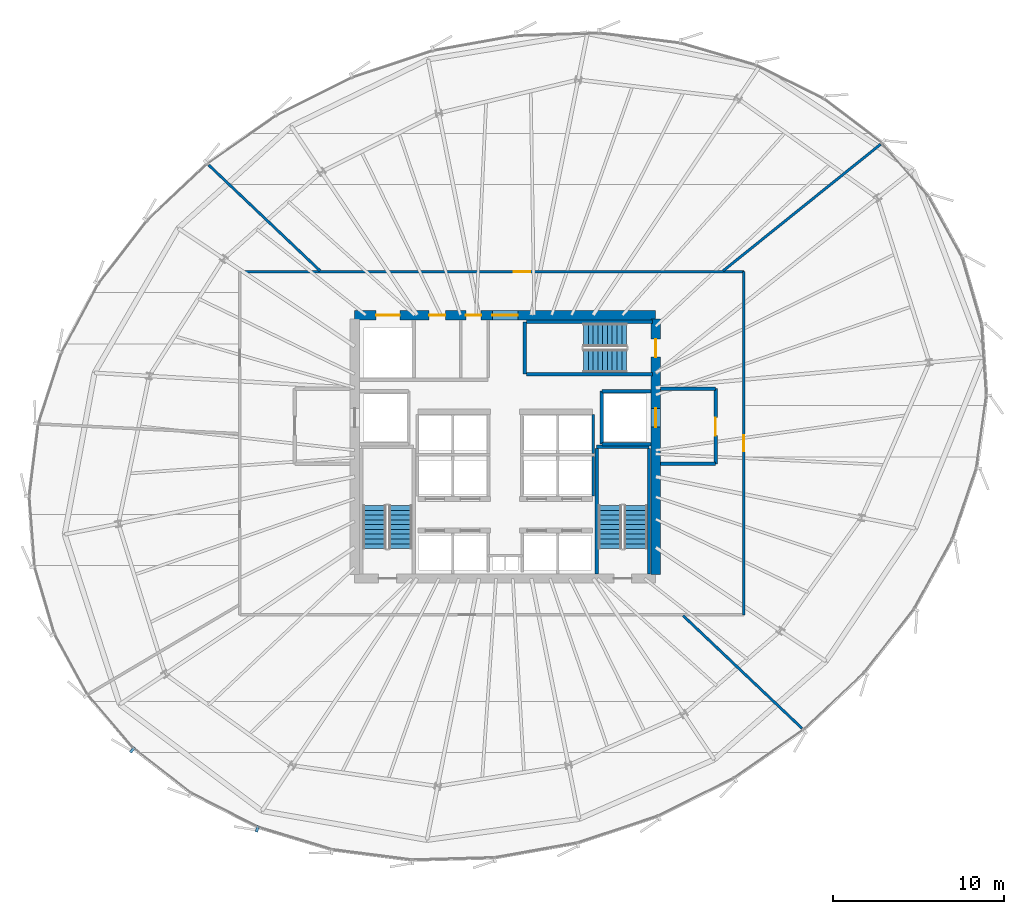
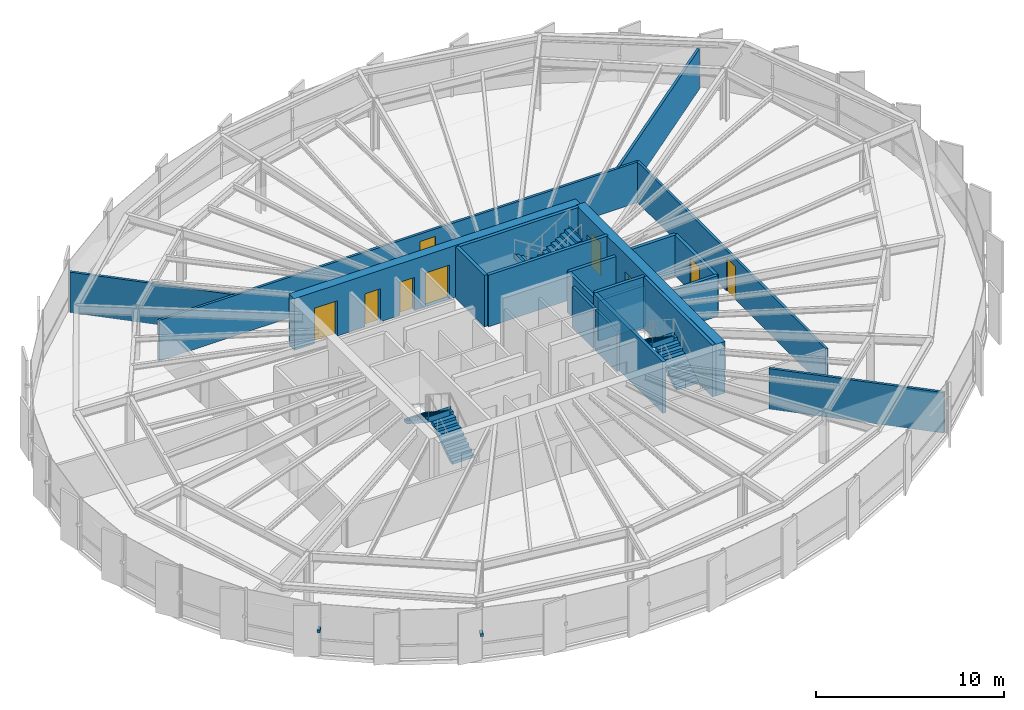
# One storey, part 29 of 34: 21 walls, 9 doors, 6 stair flights, 2 discrete accessories, 9 openings, 3 elements without a shape of their own.
"""IFC4 building model written with IfcOpenShell, lengths in metres."""

from ifc_helpers import new_model, si_unit, direction, frame, frame_2d, origin, origin_2d, place, context, subcontext, project, spatial, polyline, rectangle, outline, extrude, source, transform, mapped, material, layer, layer_set, type_object, element, fill, aggregate, save


model = new_model("IFC4")

# Units and contexts
model_context = context("Model", 3, precision=1e-05, world=origin(), true_north=direction((0.0, 1.0)))
body_context = subcontext(model_context, "Body", "Model", "MODEL_VIEW")
ifc_project = project(units=[si_unit("LENGTHUNIT", "METRE"), si_unit("AREAUNIT", "SQUARE_METRE"), si_unit("VOLUMEUNIT", "CUBIC_METRE"), si_unit("PLANEANGLEUNIT", "RADIAN"), si_unit("MASSUNIT", "GRAM", prefix="KILO"), si_unit("THERMODYNAMICTEMPERATUREUNIT", "KELVIN")], contexts=[model_context])

# Site, building, storey
site_placement = place(None, origin())
site = spatial("IfcSite", under=ifc_project, at=site_placement, CompositionType="ELEMENT")
building_placement = place(site_placement, origin())
building = spatial("IfcBuilding", under=site, at=building_placement, Name="Kethvar Cultural Tower", CompositionType="ELEMENT")
storey_placement = place(building_placement, frame((0.0, 0.0, 125.199951171875)))
storey = spatial("IfcBuildingStorey", under=building, at=storey_placement, Name="L31", CompositionType="ELEMENT", Elevation=125.199951171875)

# Wall, openings, doors
ifc_material_1 = material(Name="Concrete C60/75", Category="concrete")
ifc_layer_1 = layer(ifc_material_1, 0.550048828125, Name="Concrete C60/75", Category="concrete")
ifc_layer_set_1 = layer_set([ifc_layer_1], Name="Concrete C60/75 (550 mm)")
wall_type_1 = type_object("IfcWallType", Name="WL-CORE-550", PredefinedType="SHEAR", material=ifc_layer_set_1)
wall_1_placement = place(storey_placement, frame((55.60009765625, 35.5, 0.0), z_axis=(0.0, 0.0, 1.0), x_axis=(-1.0, 0.0, 0.0)))
wall_1 = element("IfcWall", 1, at=wall_1_placement, inside=storey, type_object=wall_type_1, Name="L31 Core Shear Wall N", PredefinedType="SHEAR", context=body_context, shape_type="SweptSolid", body=[
    extrude(rectangle(XDim=17.60009765625, YDim=0.550048828125, at=frame_2d((8.800048828125, 0.0))), origin(), (0.0, 0.0, 1.0), 3.35009765625),
])
opening_1_placement = place(wall_1_placement, frame((8.050048828125, 0.0, 0.0)))
opening_1 = element("IfcOpeningElement", 2, at=opening_1_placement, cuts=wall_1, Name="Opening D-L31-LN", PredefinedType="OPENING", context=body_context, shape_type="SweptSolid", body=[
    extrude(rectangle(XDim=1.5, YDim=2.199951171875, at=frame_2d((0.75, 1.10009765625))), frame((0.0, 0.284912109375, 0.0), z_axis=(0.0, -1.0, 0.0), x_axis=(1.0, 0.0, 0.0)), (0.0, 0.0, 1.0), 0.570068359375),
])
opening_2_placement = place(wall_1_placement, frame((14.949951171875, 0.0, 0.0)))
opening_2 = element("IfcOpeningElement", 3, at=opening_2_placement, cuts=wall_1, Name="Opening LD-G1", PredefinedType="OPENING", context=body_context, shape_type="SweptSolid", body=[
    extrude(rectangle(XDim=1.39990234375, YDim=2.300048828125, at=frame_2d((0.699951171875, 1.14990234375))), frame((0.0, 0.284912109375, 0.0), z_axis=(0.0, -1.0, 0.0), x_axis=(1.0, 0.0, 0.0)), (0.0, 0.0, 1.0), 0.570068359375),
])
opening_3_placement = place(wall_1_placement, frame((12.300048828125, 0.0, 0.0)))
opening_3 = element("IfcOpeningElement", 4, at=opening_3_placement, cuts=wall_1, Name="Opening D-L31-W1", PredefinedType="OPENING", context=body_context, shape_type="SweptSolid", body=[
    extrude(rectangle(XDim=0.949951171875, YDim=2.14990234375, at=frame_2d((0.47509765625, 1.074951171875))), frame((0.0, 0.284912109375, 0.0), z_axis=(0.0, -1.0, 0.0), x_axis=(1.0, 0.0, 0.0)), (0.0, 0.0, 1.0), 0.570068359375),
])
opening_4_placement = place(wall_1_placement, frame((10.199951171875, 0.0, 0.0)))
opening_4 = element("IfcOpeningElement", 5, at=opening_4_placement, cuts=wall_1, Name="Opening D-L31-W2", PredefinedType="OPENING", context=body_context, shape_type="SweptSolid", body=[
    extrude(rectangle(XDim=0.89990234375, YDim=2.14990234375, at=frame_2d((0.449951171875, 1.074951171875))), frame((0.0, 0.284912109375, 0.0), z_axis=(0.0, -1.0, 0.0), x_axis=(1.0, 0.0, 0.0)), (0.0, 0.0, 1.0), 0.570068359375),
])
ifc_material_2 = material(Name="Architectural Oak Timber", Category="wood")
door_type_1 = type_object("IfcDoorType", Name="DR-DBL-FD60-1500", OperationType="DOUBLE_DOOR_SINGLE_SWING", PredefinedType="DOOR", material=ifc_material_2)
shared_shape_1 = source(origin(), body_context, "Body", "SweptSolid", [
    extrude(rectangle(XDim=1.5, YDim=2.199951171875, at=frame_2d((0.75, 1.10009765625))), frame((0.0, 0.02490234375, 0.0), z_axis=(0.0, -1.0, 0.0), x_axis=(1.0, 0.0, 0.0)), (0.0, 0.0, 1.0), 0.050048828125),
])
door_1_placement = place(opening_1_placement, origin())
door_1 = element("IfcDoor", 6, at=door_1_placement, inside=storey, type_object=door_type_1, Name="L31 Lift Lobby Concourse Door", OperationType="DOUBLE_DOOR_SINGLE_SWING", OverallHeight=2.199951171875, OverallWidth=1.5, PredefinedType="DOOR", context=body_context, shape_type="MappedRepresentation", body=[
    mapped(shared_shape_1, transform((0.0, 0.0, 0.0), scale=1.0)),
])
fill(opening_1, door_1)
ifc_material_3 = material(Name="Steel S355J2", Category="steel")
door_type_2 = type_object("IfcDoorType", Name="DR-LIFT-SLIDE-1400", OperationType="NOTDEFINED", PredefinedType="DOOR", material=ifc_material_3)
shared_shape_2 = source(origin(), body_context, "Body", "SweptSolid", [
    extrude(rectangle(XDim=1.39990234375, YDim=2.300048828125, at=frame_2d((0.699951171875, 1.14990234375))), frame((0.0, 0.02490234375, 0.0), z_axis=(0.0, -1.0, 0.0), x_axis=(1.0, 0.0, 0.0)), (0.0, 0.0, 1.0), 0.050048828125),
])
door_2_placement = place(opening_2_placement, origin())
door_2 = element("IfcDoor", 7, at=door_2_placement, inside=storey, type_object=door_type_2, Name="L31 Goods Lift Landing Door", OperationType="SLIDING_TO_RIGHT", OverallHeight=2.300048828125, OverallWidth=1.39990234375, PredefinedType="DOOR", context=body_context, shape_type="MappedRepresentation", body=[
    mapped(shared_shape_2, transform((0.0, 0.0, 0.0), scale=1.0)),
])
fill(opening_2, door_2)
door_type_3 = type_object("IfcDoorType", Name="DR-FD30-950", OperationType="NOTDEFINED", PredefinedType="DOOR", material=ifc_material_2)
shared_shape_3 = source(origin(), body_context, "Body", "SweptSolid", [
    extrude(rectangle(XDim=0.949951171875, YDim=2.14990234375, at=frame_2d((0.47509765625, 1.074951171875))), frame((0.0, 0.02490234375, 0.0), z_axis=(0.0, -1.0, 0.0), x_axis=(1.0, 0.0, 0.0)), (0.0, 0.0, 1.0), 0.050048828125),
])
door_3_placement = place(opening_3_placement, origin())
door_3 = element("IfcDoor", 8, at=door_3_placement, inside=storey, type_object=door_type_3, Name="L31 Public Washroom Door", OperationType="SINGLE_SWING_LEFT", OverallHeight=2.14990234375, OverallWidth=0.949951171875, PredefinedType="DOOR", context=body_context, shape_type="MappedRepresentation", body=[
    mapped(shared_shape_3, transform((0.0, 0.0, 0.0), scale=1.0)),
])
fill(opening_3, door_3)
door_type_4 = type_object("IfcDoorType", Name="DR-FD30-900", OperationType="NOTDEFINED", PredefinedType="DOOR", material=ifc_material_2)
shared_shape_4 = source(origin(), body_context, "Body", "SweptSolid", [
    extrude(rectangle(XDim=0.89990234375, YDim=2.14990234375, at=frame_2d((0.449951171875, 1.074951171875))), frame((0.0, 0.02490234375, 0.0), z_axis=(0.0, -1.0, 0.0), x_axis=(1.0, 0.0, 0.0)), (0.0, 0.0, 1.0), 0.050048828125),
])
door_4_placement = place(opening_4_placement, origin())
door_4 = element("IfcDoor", 9, at=door_4_placement, inside=storey, type_object=door_type_4, Name="L31 Accessible Washroom Door", OperationType="SINGLE_SWING_RIGHT", OverallHeight=2.14990234375, OverallWidth=0.89990234375, PredefinedType="DOOR", context=body_context, shape_type="MappedRepresentation", body=[
    mapped(shared_shape_4, transform((0.0, 0.0, 0.0), scale=1.0)),
])
fill(opening_4, door_4)

wall_2_placement = place(storey_placement, frame((55.60009765625, 20.340087890625, 0.0), z_axis=(0.0, 0.0, 1.0), x_axis=(0.0, 1.0, 0.0)))
wall_2 = element("IfcWall", 10, at=wall_2_placement, inside=storey, type_object=wall_type_1, Name="L31 Core Shear Wall E", PredefinedType="SHEAR", context=body_context, shape_type="SweptSolid", body=[
    extrude(rectangle(XDim=14.919921875, YDim=0.550048828125, at=frame_2d((7.4599609375, 0.0))), origin(), (0.0, 0.0, 1.0), 3.35009765625),
])
opening_5_placement = place(wall_2_placement, frame((12.7099609375, 0.0, 0.0)))
opening_5 = element("IfcOpeningElement", 11, at=opening_5_placement, cuts=wall_2, Name="Opening D-L31-S3", PredefinedType="OPENING", context=body_context, shape_type="SweptSolid", body=[
    extrude(rectangle(XDim=1.050048828125, YDim=2.14990234375, at=frame_2d((0.52490234375, 1.074951171875))), frame((0.0, 0.284912109375, 0.0), z_axis=(0.0, -1.0, 0.0), x_axis=(1.0, 0.0, 0.0)), (0.0, 0.0, 1.0), 0.570068359375),
])
opening_6_placement = place(wall_2_placement, frame((8.610107421875, 0.0, 0.0)))
opening_6 = element("IfcOpeningElement", 12, at=opening_6_placement, cuts=wall_2, Name="Opening LD-2", PredefinedType="OPENING", context=body_context, shape_type="SweptSolid", body=[
    extrude(rectangle(XDim=1.10009765625, YDim=2.199951171875, at=frame_2d((0.550048828125, 1.10009765625))), frame((0.0, 0.284912109375, 0.0), z_axis=(0.0, -1.0, 0.0), x_axis=(1.0, 0.0, 0.0)), (0.0, 0.0, 1.0), 0.570068359375),
])
door_type_5 = type_object("IfcDoorType", Name="DR-FD60-1050", OperationType="NOTDEFINED", PredefinedType="DOOR", material=ifc_material_3)
shared_shape_5 = source(origin(), body_context, "Body", "SweptSolid", [
    extrude(rectangle(XDim=1.050048828125, YDim=2.14990234375, at=frame_2d((0.52490234375, 1.074951171875))), frame((0.0, 0.02490234375, 0.0), z_axis=(0.0, -1.0, 0.0), x_axis=(1.0, 0.0, 0.0)), (0.0, 0.0, 1.0), 0.050048828125),
])
door_5_placement = place(opening_5_placement, origin())
door_5 = element("IfcDoor", 13, at=door_5_placement, inside=storey, type_object=door_type_5, Name="L31 Exit Stair 3 Door", OperationType="SINGLE_SWING_LEFT", OverallHeight=2.14990234375, OverallWidth=1.050048828125, PredefinedType="DOOR", context=body_context, shape_type="MappedRepresentation", body=[
    mapped(shared_shape_5, transform((0.0, 0.0, 0.0), scale=1.0)),
])
fill(opening_5, door_5)
door_type_6 = type_object("IfcDoorType", Name="DR-LIFT-SLIDE-1100", OperationType="NOTDEFINED", PredefinedType="DOOR", material=ifc_material_3)
shared_shape_6 = source(origin(), body_context, "Body", "SweptSolid", [
    extrude(rectangle(XDim=1.10009765625, YDim=2.199951171875, at=frame_2d((0.550048828125, 1.10009765625))), frame((0.0, 0.02490234375, 0.0), z_axis=(0.0, -1.0, 0.0), x_axis=(1.0, 0.0, 0.0)), (0.0, 0.0, 1.0), 0.050048828125),
])
door_6_placement = place(opening_6_placement, origin())
door_6 = element("IfcDoor", 14, at=door_6_placement, inside=storey, type_object=door_type_6, Name="L31 Firefighting Lift Landing Door FFL-02", OperationType="SLIDING_TO_RIGHT", OverallHeight=2.199951171875, OverallWidth=1.10009765625, PredefinedType="DOOR", context=body_context, shape_type="MappedRepresentation", body=[
    mapped(shared_shape_6, transform((0.0, 0.0, 0.0), scale=1.0)),
])
fill(opening_6, door_6)

# Walls
ifc_material_4 = material(Name="Gypsum Fireboard Partition")
ifc_layer_2 = layer(ifc_material_4, 0.14990234375, Name="Gypsum Fireboard Partition")
ifc_layer_set_2 = layer_set([ifc_layer_2], Name="Gypsum Fireboard Partition (150 mm)")
wall_type_2 = type_object("IfcWallType", Name="WL-FIRE-150", PredefinedType="PARTITIONING", material=ifc_layer_set_2)
wall_3_placement = place(storey_placement, frame((51.949951171875, 24.919921875, 0.0), z_axis=(0.0, 0.0, 1.0), x_axis=(0.0, 1.0, 0.0)))
element("IfcWall", 15, at=wall_3_placement, inside=storey, type_object=wall_type_2, Name="L31 Mid-Rise Lift Shaft Outer Wall E", PredefinedType="PARTITIONING", context=body_context, shape_type="SweptSolid", body=[
    extrude(rectangle(XDim=2.320068359375, YDim=0.14990234375, at=frame_2d((1.16015625, 0.0))), origin(), (0.0, 0.0, 1.0), 2.635009765625),
])
wall_4_placement = place(storey_placement, frame((51.949951171875, 27.409912109375, 0.0), z_axis=(0.0, 0.0, 1.0), x_axis=(0.0, 1.0, 0.0)))
element("IfcWall", 16, at=wall_4_placement, inside=storey, type_object=wall_type_2, Name="L31 High-Rise Lift Shaft Outer Wall E", PredefinedType="PARTITIONING", context=body_context, shape_type="SweptSolid", body=[
    extrude(rectangle(XDim=2.27001953125, YDim=0.14990234375, at=frame_2d((1.135009765625, 0.0))), origin(), (0.0, 0.0, 1.0), 2.635009765625),
])

# Wall, opening, door
wall_5_placement = place(storey_placement, frame((60.75, 17.97998046875, 0.0), z_axis=(0.0, 0.0, 1.0), x_axis=(0.0, 1.0, 0.0)))
wall_5 = element("IfcWall", 17, at=wall_5_placement, inside=storey, type_object=wall_type_2, Name="L31 Corridor Rated Wall E", PredefinedType="PARTITIONING", context=body_context, shape_type="SweptSolid", body=[
    extrude(rectangle(XDim=20.06005859375, YDim=0.14990234375, at=frame_2d((10.030029296875, 0.0))), origin(), (0.0, 0.0, 1.0), 2.635009765625),
])
opening_7_placement = place(wall_5_placement, frame((9.554931640625, 0.0, 0.0)))
opening_7 = element("IfcOpeningElement", 18, at=opening_7_placement, cuts=wall_5, Name="Opening D-L31-02", PredefinedType="OPENING", context=body_context, shape_type="SweptSolid", body=[
    extrude(rectangle(XDim=0.949951171875, YDim=2.14990234375, at=frame_2d((0.47509765625, 1.074951171875))), frame((0.0, 0.0849609375, 0.0), z_axis=(0.0, -1.0, 0.0), x_axis=(1.0, 0.0, 0.0)), (0.0, 0.0, 1.0), 0.169921875),
])
door_7_placement = place(opening_7_placement, origin())
door_7 = element("IfcDoor", 19, at=door_7_placement, inside=storey, type_object=door_type_3, Name="L31 Transfer Visitor Reception 02 Door", OperationType="SINGLE_SWING_LEFT", OverallHeight=2.14990234375, OverallWidth=0.949951171875, PredefinedType="DOOR", context=body_context, shape_type="MappedRepresentation", body=[
    mapped(shared_shape_3, transform((0.0, 0.0, 0.0), scale=1.0)),
])
fill(opening_7, door_7)

wall_6_placement = place(storey_placement, frame((60.75, 38.0400390625, 0.0), z_axis=(0.0, 0.0, 1.0), x_axis=(-1.0, 0.0, 0.0)))
wall_6 = element("IfcWall", 20, at=wall_6_placement, inside=storey, type_object=wall_type_2, Name="L31 Corridor Rated Wall N", PredefinedType="PARTITIONING", context=body_context, shape_type="SweptSolid", body=[
    extrude(rectangle(XDim=29.4599609375, YDim=0.14990234375, at=frame_2d((14.72998046875, 0.0))), origin(), (0.0, 0.0, 1.0), 2.635009765625),
])
opening_8_placement = place(wall_6_placement, frame((12.497802734375, 0.0, 0.0)))
opening_8 = element("IfcOpeningElement", 21, at=opening_8_placement, cuts=wall_6, Name="Opening D-L31-03", PredefinedType="OPENING", context=body_context, shape_type="SweptSolid", body=[
    extrude(rectangle(XDim=0.949951171875, YDim=2.14990234375, at=frame_2d((0.47509765625, 1.074951171875))), frame((0.0, 0.0849609375, 0.0), z_axis=(0.0, -1.0, 0.0), x_axis=(1.0, 0.0, 0.0)), (0.0, 0.0, 1.0), 0.169921875),
])
door_8_placement = place(opening_8_placement, origin())
door_8 = element("IfcDoor", 22, at=door_8_placement, inside=storey, type_object=door_type_3, Name="L31 Delegation Briefing Foyer 03 Door", OperationType="SINGLE_SWING_RIGHT", OverallHeight=2.14990234375, OverallWidth=0.949951171875, PredefinedType="DOOR", context=body_context, shape_type="MappedRepresentation", body=[
    mapped(shared_shape_3, transform((0.0, 0.0, 0.0), scale=1.0)),
])
fill(opening_8, door_8)

# Walls
ifc_material_5 = material(Name="Concrete C40/50", Category="concrete")
ifc_layer_3 = layer(ifc_material_5, 0.199951171875, Name="Concrete C40/50", Category="concrete")
ifc_layer_set_3 = layer_set([ifc_layer_3], Name="Concrete C40/50 (200 mm)")
wall_type_3 = type_object("IfcWallType", Name="WL-FIRE-200", PredefinedType="PARTITIONING", material=ifc_layer_set_3)
wall_7_placement = place(storey_placement, frame((52.449951171875, 27.949951171875, 0.0), z_axis=(0.0, 0.0, 1.0), x_axis=(0.0, 1.0, 0.0)))
element("IfcWall", 23, at=wall_7_placement, inside=storey, type_object=wall_type_3, Name="L31 FFL-02 Shaft Inner Wall", PredefinedType="PARTITIONING", context=body_context, shape_type="SweptSolid", body=[
    extrude(rectangle(XDim=3.10009765625, YDim=0.199951171875, at=frame_2d((1.550048828125, 0.0))), origin(), (0.0, 0.0, 1.0), 2.635009765625),
])
for number, where, z_axis, x_axis, name in (
    (24, (52.449951171875, 27.949951171875, 0.0), (0.0, 0.0, 1.0), (1.0, 0.0, 0.0), "L31 FFL-02 Shaft South Wall"),
    (25, (52.449951171875, 31.050048828125, 0.0), (0.0, 0.0, 1.0), (1.0, 0.0, 0.0), "L31 FFL-02 Shaft North Wall"),
):
    element("IfcWall", number, at=place(storey_placement, frame(where, z_axis=z_axis, x_axis=x_axis)), inside=storey, type_object=wall_type_3, Name=name, PredefinedType="PARTITIONING", context=body_context, shape_type="SweptSolid", body=[
        extrude(rectangle(XDim=2.864990234375, YDim=0.199951171875, at=frame_2d((1.4326171875, 0.0))), origin(), (0.0, 0.0, 1.0), 2.635009765625),
    ])

# Wall, opening, door
wall_8_placement = place(storey_placement, frame((59.10009765625, 26.800048828125, 0.0), z_axis=(0.0, 0.0, 1.0), x_axis=(0.0, 1.0, 0.0)))
wall_8 = element("IfcWall", 26, at=wall_8_placement, inside=storey, type_object=wall_type_3, Name="L31 Firefighting Lobby 2 Wall", PredefinedType="PARTITIONING", context=body_context, shape_type="SweptSolid", body=[
    extrude(rectangle(XDim=4.39990234375, YDim=0.199951171875, at=frame_2d((2.199951171875, 0.0))), origin(), (0.0, 0.0, 1.0), 2.635009765625),
])
opening_9_placement = place(wall_8_placement, frame((1.64990234375, 0.0, 0.0)))
opening_9 = element("IfcOpeningElement", 27, at=opening_9_placement, cuts=wall_8, Name="Opening D-L31-F2", PredefinedType="OPENING", context=body_context, shape_type="SweptSolid", body=[
    extrude(rectangle(XDim=1.050048828125, YDim=2.14990234375, at=frame_2d((0.52490234375, 1.074951171875))), frame((0.0, 0.10986328125, 0.0), z_axis=(0.0, -1.0, 0.0), x_axis=(1.0, 0.0, 0.0)), (0.0, 0.0, 1.0), 0.219970703125),
])
door_9_placement = place(opening_9_placement, origin())
door_9 = element("IfcDoor", 28, at=door_9_placement, inside=storey, type_object=door_type_5, Name="L31 Firefighting Lobby 2 Fire Door", OperationType="SINGLE_SWING_LEFT", OverallHeight=2.14990234375, OverallWidth=1.050048828125, PredefinedType="DOOR", context=body_context, shape_type="MappedRepresentation", body=[
    mapped(shared_shape_5, transform((0.0, 0.0, 0.0), scale=1.0)),
])
fill(opening_9, door_9)

# Walls
for number, where, z_axis, x_axis, name in (
    (29, (55.885009765625, 26.800048828125, 0.0), (0.0, 0.0, 1.0), (1.0, 0.0, 0.0), "L31 FF Lobby 2 South Wall"),
    (30, (55.885009765625, 31.199951171875, 0.0), (0.0, 0.0, 1.0), (1.0, 0.0, 0.0), "L31 FF Lobby 2 North Wall"),
):
    element("IfcWall", number, at=place(storey_placement, frame(where, z_axis=z_axis, x_axis=x_axis)), inside=storey, type_object=wall_type_3, Name=name, PredefinedType="PARTITIONING", context=body_context, shape_type="SweptSolid", body=[
        extrude(rectangle(XDim=3.215087890625, YDim=0.199951171875, at=frame_2d((1.607421875, 0.0))), origin(), (0.0, 0.0, 1.0), 2.635009765625),
    ])
ifc_material_6 = material(Name="Gypsum Acoustic Partition")
ifc_layer_4 = layer(ifc_material_6, 0.14990234375, Name="Gypsum Acoustic Partition")
ifc_layer_set_4 = layer_set([ifc_layer_4], Name="Gypsum Acoustic Partition (150 mm)")
wall_type_4 = type_object("IfcWallType", Name="WL-PART-150", PredefinedType="PARTITIONING", material=ifc_layer_set_4)
wall_9_placement = place(storey_placement, frame((57.206298828125, 17.925048828125, 0.0), z_axis=(0.0, 0.0, 1.0), x_axis=(0.725826765277, -0.687877537653, 0.0)))
element("IfcWall", 31, at=wall_9_placement, inside=storey, type_object=wall_type_4, Name="L31 Radial Partition Wall 02", PredefinedType="PARTITIONING", context=body_context, shape_type="SweptSolid", body=[
    extrude(rectangle(XDim=9.579345703125, YDim=0.14990234375, at=frame_2d((4.78955078125, 0.0))), origin(), (0.0, 0.0, 1.0), 2.635009765625),
])
wall_10_placement = place(storey_placement, frame((59.545654296875, 38.090087890625, 0.0), z_axis=(0.0, 0.0, 1.0), x_axis=(0.779503527127, 0.626397837797, 0.0)))
element("IfcWall", 32, at=wall_10_placement, inside=storey, type_object=wall_type_4, Name="L31 Radial Partition Wall 03", PredefinedType="PARTITIONING", context=body_context, shape_type="SweptSolid", body=[
    extrude(rectangle(XDim=11.8095703125, YDim=0.14990234375, at=frame_2d((5.90478515625, 0.0))), origin(), (0.0, 0.0, 1.0), 2.635009765625),
])
wall_11_placement = place(storey_placement, frame((35.9736328125, 38.09521484375, 0.0), z_axis=(0.0, 0.0, 1.0), x_axis=(-0.725125759057, 0.688616463317, 0.0)))
element("IfcWall", 33, at=wall_11_placement, inside=storey, type_object=wall_type_4, Name="L31 Radial Partition Wall 04", PredefinedType="PARTITIONING", context=body_context, shape_type="SweptSolid", body=[
    extrude(rectangle(XDim=8.97412109375, YDim=0.14990234375, at=frame_2d((4.487060546875, 0.0))), origin(), (0.0, 0.0, 1.0), 2.635009765625),
])
ifc_material_7 = material(Name="Concrete C50/60", Category="concrete")
ifc_layer_5 = layer(ifc_material_7, 0.199951171875, Name="Concrete C50/60", Category="concrete")
ifc_layer_set_5 = layer_set([ifc_layer_5], Name="Concrete C50/60 (200 mm)")
wall_type_5 = type_object("IfcWallType", Name="WL-STSHAFT-200", PredefinedType="SHEAR", material=ifc_layer_set_5)
wall_12_placement = place(storey_placement, frame((52.14990234375, 27.800048828125, 0.0), z_axis=(0.0, 0.0, 1.0), x_axis=(1.0, 0.0, 0.0)))
element("IfcWall", 34, at=wall_12_placement, inside=storey, type_object=wall_type_5, Name="L31 ST-02 Stair Shaft Wall FAR", PredefinedType="SHEAR", context=body_context, shape_type="SweptSolid", body=[
    extrude(rectangle(XDim=3.06005859375, YDim=0.199951171875, at=frame_2d((1.530029296875, 0.0))), origin(), (0.0, 0.0, 1.0), 3.35009765625),
])
for number, where, z_axis, x_axis, name in (
    (35, (55.2099609375, 27.699951171875, 0.0), (0.0, 0.0, 1.0), (0.0, -1.0, 0.0), "L31 ST-02 Stair Shaft Wall LEFT"),
    (36, (52.14990234375, 20.35009765625, 0.0), (0.0, 0.0, 1.0), (0.0, 1.0, 0.0), "L31 ST-02 Stair Shaft Wall RIGHT"),
):
    element("IfcWall", number, at=place(storey_placement, frame(where, z_axis=z_axis, x_axis=x_axis)), inside=storey, type_object=wall_type_5, Name=name, PredefinedType="SHEAR", context=body_context, shape_type="SweptSolid", body=[
        extrude(rectangle(XDim=7.349853515625, YDim=0.199951171875, at=frame_2d((3.6748046875, 0.0))), origin(), (0.0, 0.0, 1.0), 3.35009765625),
    ])
wall_13_placement = place(storey_placement, frame((47.949951171875, 32.050048828125, 0.0), z_axis=(0.0, 0.0, 1.0), x_axis=(0.0, 1.0, 0.0)))
element("IfcWall", 37, at=wall_13_placement, inside=storey, type_object=wall_type_5, Name="L31 ST-03 Stair Shaft Wall FAR", PredefinedType="SHEAR", context=body_context, shape_type="SweptSolid", body=[
    extrude(rectangle(XDim=3.06005859375, YDim=0.199951171875, at=frame_2d((1.530029296875, 0.0))), origin(), (0.0, 0.0, 1.0), 3.35009765625),
])
for number, where, z_axis, x_axis, name in (
    (38, (48.050048828125, 35.110107421875, 0.0), (0.0, 0.0, 1.0), (1.0, 0.0, 0.0), "L31 ST-03 Stair Shaft Wall LEFT"),
    (39, (55.39990234375, 32.050048828125, 0.0), (0.0, 0.0, 1.0), (-1.0, 0.0, 0.0), "L31 ST-03 Stair Shaft Wall RIGHT"),
):
    element("IfcWall", number, at=place(storey_placement, frame(where, z_axis=z_axis, x_axis=x_axis)), inside=storey, type_object=wall_type_5, Name=name, PredefinedType="SHEAR", context=body_context, shape_type="SweptSolid", body=[
        extrude(rectangle(XDim=7.349853515625, YDim=0.199951171875, at=frame_2d((3.6748046875, 0.0))), origin(), (0.0, 0.0, 1.0), 3.35009765625),
    ])

# Stair, stair flights
stair_type = type_object("IfcStairType", Name="ST-DOGLEG-135", PredefinedType="HALF_TURN_STAIR", material=ifc_material_5)
stair_1_placement = place(storey_placement, origin())
stair_1 = element("IfcStair", 40, at=stair_1_placement, inside=storey, type_object=stair_type, Name="L31 Core Exit Stair 1", PredefinedType="HALF_TURN_STAIR")
stair_flight_type = type_object("IfcStairFlightType", Name="FL-STRAIGHT-135", PredefinedType="STRAIGHT", material=ifc_material_5)
stair_flight_1_placement = place(storey_placement, frame((40.675048828125, 21.85009765625, 0.0), z_axis=(0.0, 0.0, 1.0), x_axis=(0.0, 1.0, 0.0)))
stair_flight_1 = element("IfcStairFlight", 41, at=stair_flight_1_placement, type_object=stair_flight_type, Name="ST-01 flight 1", NumberOfRisers=10, NumberOfTreads=9, PredefinedType="STRAIGHT", RiserHeight=0.18, TreadLength=0.28, context=body_context, shape_type="SweptSolid", body=[
    extrude(outline(polyline([(-0.0009765625, -0.0009765625), (-0.0009765625, 0.179931640625), (0.280029296875, 0.179931640625), (0.280029296875, 0.360107421875), (0.56005859375, 0.360107421875), (0.56005859375, 0.5400390625), (0.840087890625, 0.5400390625), (0.840087890625, 0.719970703125), (1.1201171875, 0.719970703125), (1.1201171875, 0.89990234375), (1.39990234375, 0.89990234375), (1.39990234375, 1.080078125), (1.679931640625, 1.080078125), (1.679931640625, 1.260009765625), (1.9599609375, 1.260009765625), (1.9599609375, 1.43994140625), (2.239990234375, 1.43994140625), (2.239990234375, 1.6201171875), (2.52001953125, 1.6201171875), (2.52001953125, 1.800048828125), (2.52099609375, 1.800048828125), (2.52099609375, 1.44189453125), (0.277099609375, 0.0), (0.0, -0.0009765625), (-0.0009765625, -0.0009765625)])), frame((0.0, 0.675048828125, 0.0), z_axis=(0.0, -1.0, 0.0), x_axis=(1.0, 0.0, 0.0)), (0.0, 0.0, 1.0), 1.35009765625),
])
stair_flight_2_placement = place(storey_placement, frame((39.1650390625, 24.3701171875, 1.800048828125), z_axis=(0.0, 0.0, 1.0), x_axis=(0.0, -1.0, 0.0)))
stair_flight_2 = element("IfcStairFlight", 42, at=stair_flight_2_placement, type_object=stair_flight_type, Name="ST-01 flight 2", NumberOfRisers=10, NumberOfTreads=9, PredefinedType="STRAIGHT", RiserHeight=0.18, TreadLength=0.28, context=body_context, shape_type="SweptSolid", body=[
    extrude(outline(polyline([(-0.0009765625, -0.0009765625), (-0.0009765625, 0.179931640625), (0.280029296875, 0.179931640625), (0.280029296875, 0.360107421875), (0.56005859375, 0.360107421875), (0.56005859375, 0.5400390625), (0.840087890625, 0.5400390625), (0.840087890625, 0.719970703125), (1.1201171875, 0.719970703125), (1.1201171875, 0.89990234375), (1.39990234375, 0.89990234375), (1.39990234375, 1.080078125), (1.679931640625, 1.080078125), (1.679931640625, 1.260009765625), (1.9599609375, 1.260009765625), (1.9599609375, 1.43994140625), (2.239990234375, 1.43994140625), (2.239990234375, 1.6201171875), (2.52001953125, 1.6201171875), (2.52001953125, 1.800048828125), (2.52099609375, 1.800048828125), (2.52099609375, 1.44189453125), (0.277099609375, 0.0), (0.0, -0.0009765625), (-0.0009765625, -0.0009765625)])), frame((0.0, 0.675048828125, 0.0), z_axis=(0.0, -1.0, 0.0), x_axis=(1.0, 0.0, 0.0)), (0.0, 0.0, 1.0), 1.35009765625),
])
aggregate(stair_1, [stair_flight_1, stair_flight_2])

stair_2_placement = place(storey_placement, origin())
stair_2 = element("IfcStair", 43, at=stair_2_placement, inside=storey, type_object=stair_type, Name="L31 Core Exit Stair 2", PredefinedType="HALF_TURN_STAIR")
stair_flight_3_placement = place(storey_placement, frame((54.43505859375, 21.85009765625, 0.0), z_axis=(0.0, 0.0, 1.0), x_axis=(0.0, 1.0, 0.0)))
stair_flight_3 = element("IfcStairFlight", 44, at=stair_flight_3_placement, type_object=stair_flight_type, Name="ST-02 flight 1", NumberOfRisers=10, NumberOfTreads=9, PredefinedType="STRAIGHT", RiserHeight=0.18, TreadLength=0.28, context=body_context, shape_type="SweptSolid", body=[
    extrude(outline(polyline([(-0.0009765625, -0.0009765625), (-0.0009765625, 0.179931640625), (0.280029296875, 0.179931640625), (0.280029296875, 0.360107421875), (0.56005859375, 0.360107421875), (0.56005859375, 0.5400390625), (0.840087890625, 0.5400390625), (0.840087890625, 0.719970703125), (1.1201171875, 0.719970703125), (1.1201171875, 0.89990234375), (1.39990234375, 0.89990234375), (1.39990234375, 1.080078125), (1.679931640625, 1.080078125), (1.679931640625, 1.260009765625), (1.9599609375, 1.260009765625), (1.9599609375, 1.43994140625), (2.239990234375, 1.43994140625), (2.239990234375, 1.6201171875), (2.52001953125, 1.6201171875), (2.52001953125, 1.800048828125), (2.52099609375, 1.800048828125), (2.52099609375, 1.44189453125), (0.277099609375, 0.0), (0.0, -0.0009765625), (-0.0009765625, -0.0009765625)])), frame((0.0, 0.675048828125, 0.0), z_axis=(0.0, -1.0, 0.0), x_axis=(1.0, 0.0, 0.0)), (0.0, 0.0, 1.0), 1.35009765625),
])
stair_flight_4_placement = place(storey_placement, frame((52.925048828125, 24.3701171875, 1.800048828125), z_axis=(0.0, 0.0, 1.0), x_axis=(0.0, -1.0, 0.0)))
stair_flight_4 = element("IfcStairFlight", 45, at=stair_flight_4_placement, type_object=stair_flight_type, Name="ST-02 flight 2", NumberOfRisers=10, NumberOfTreads=9, PredefinedType="STRAIGHT", RiserHeight=0.18, TreadLength=0.28, context=body_context, shape_type="SweptSolid", body=[
    extrude(outline(polyline([(-0.0009765625, -0.0009765625), (-0.0009765625, 0.179931640625), (0.280029296875, 0.179931640625), (0.280029296875, 0.360107421875), (0.56005859375, 0.360107421875), (0.56005859375, 0.5400390625), (0.840087890625, 0.5400390625), (0.840087890625, 0.719970703125), (1.1201171875, 0.719970703125), (1.1201171875, 0.89990234375), (1.39990234375, 0.89990234375), (1.39990234375, 1.080078125), (1.679931640625, 1.080078125), (1.679931640625, 1.260009765625), (1.9599609375, 1.260009765625), (1.9599609375, 1.43994140625), (2.239990234375, 1.43994140625), (2.239990234375, 1.6201171875), (2.52001953125, 1.6201171875), (2.52001953125, 1.800048828125), (2.52099609375, 1.800048828125), (2.52099609375, 1.44189453125), (0.277099609375, 0.0), (0.0, -0.0009765625), (-0.0009765625, -0.0009765625)])), frame((0.0, 0.675048828125, 0.0), z_axis=(0.0, -1.0, 0.0), x_axis=(1.0, 0.0, 0.0)), (0.0, 0.0, 1.0), 1.35009765625),
])
aggregate(stair_2, [stair_flight_3, stair_flight_4])

stair_3_placement = place(storey_placement, origin())
stair_3 = element("IfcStair", 46, at=stair_3_placement, inside=storey, type_object=stair_type, Name="L31 Core Exit Stair 3", PredefinedType="HALF_TURN_STAIR")
stair_flight_5_placement = place(storey_placement, frame((53.89990234375, 34.3349609375, 0.0), z_axis=(0.0, 0.0, 1.0), x_axis=(-1.0, 0.0, 0.0)))
stair_flight_5 = element("IfcStairFlight", 47, at=stair_flight_5_placement, type_object=stair_flight_type, Name="ST-03 flight 1", NumberOfRisers=10, NumberOfTreads=9, PredefinedType="STRAIGHT", RiserHeight=0.18, TreadLength=0.28, context=body_context, shape_type="SweptSolid", body=[
    extrude(outline(polyline([(-0.0009765625, -0.0009765625), (-0.0009765625, 0.179931640625), (0.280029296875, 0.179931640625), (0.280029296875, 0.360107421875), (0.56005859375, 0.360107421875), (0.56005859375, 0.5400390625), (0.840087890625, 0.5400390625), (0.840087890625, 0.719970703125), (1.1201171875, 0.719970703125), (1.1201171875, 0.89990234375), (1.39990234375, 0.89990234375), (1.39990234375, 1.080078125), (1.679931640625, 1.080078125), (1.679931640625, 1.260009765625), (1.9599609375, 1.260009765625), (1.9599609375, 1.43994140625), (2.239990234375, 1.43994140625), (2.239990234375, 1.6201171875), (2.52001953125, 1.6201171875), (2.52001953125, 1.800048828125), (2.52099609375, 1.800048828125), (2.52099609375, 1.44189453125), (0.277099609375, 0.0), (0.0, -0.0009765625), (-0.0009765625, -0.0009765625)])), frame((0.0, 0.675048828125, 0.0), z_axis=(0.0, -1.0, 0.0), x_axis=(1.0, 0.0, 0.0)), (0.0, 0.0, 1.0), 1.35009765625),
])
stair_flight_6_placement = place(storey_placement, frame((51.3798828125, 32.824951171875, 1.800048828125), z_axis=(0.0, 0.0, 1.0), x_axis=(1.0, 0.0, 0.0)))
stair_flight_6 = element("IfcStairFlight", 48, at=stair_flight_6_placement, type_object=stair_flight_type, Name="ST-03 flight 2", NumberOfRisers=10, NumberOfTreads=9, PredefinedType="STRAIGHT", RiserHeight=0.18, TreadLength=0.28, context=body_context, shape_type="SweptSolid", body=[
    extrude(outline(polyline([(-0.0009765625, -0.0009765625), (-0.0009765625, 0.179931640625), (0.280029296875, 0.179931640625), (0.280029296875, 0.360107421875), (0.56005859375, 0.360107421875), (0.56005859375, 0.5400390625), (0.840087890625, 0.5400390625), (0.840087890625, 0.719970703125), (1.1201171875, 0.719970703125), (1.1201171875, 0.89990234375), (1.39990234375, 0.89990234375), (1.39990234375, 1.080078125), (1.679931640625, 1.080078125), (1.679931640625, 1.260009765625), (1.9599609375, 1.260009765625), (1.9599609375, 1.43994140625), (2.239990234375, 1.43994140625), (2.239990234375, 1.6201171875), (2.52001953125, 1.6201171875), (2.52001953125, 1.800048828125), (2.52099609375, 1.800048828125), (2.52099609375, 1.44189453125), (0.277099609375, 0.0), (0.0, -0.0009765625), (-0.0009765625, -0.0009765625)])), frame((0.0, 0.675048828125, 0.0), z_axis=(0.0, -1.0, 0.0), x_axis=(1.0, 0.0, 0.0)), (0.0, 0.0, 1.0), 1.35009765625),
])
aggregate(stair_3, [stair_flight_5, stair_flight_6])

# Discrete accessories
discrete_accessory_type = type_object("IfcDiscreteAccessoryType", Name="Steel Fin Bracket BRK-01", PredefinedType="BRACKET", material=ifc_material_3)
shared_shape_7 = source(origin(), body_context, "Body", "SweptSolid", [
    extrude(rectangle(XDim=0.3798828125, YDim=0.159912109375, at=origin_2d()), origin(), (0.0, 0.0, 1.0), 0.179931640625),
])
for number, where, z_axis, x_axis, name in (
    (49, (25.007568359375, 10.078125, 1.5849609375), (0.0, 0.0, 1.0), (-0.613871952452, -0.789405615633, 0.0), "L31 Terracotta Fin Bracket 4.3"),
    (50, (32.30615234375, 5.456787109375, 1.5849609375), (0.0, 0.0, 1.0), (-0.289700061544, -0.957117481996, 0.0), "L31 Terracotta Fin Bracket 4.5"),
):
    element("IfcDiscreteAccessory", number, at=place(storey_placement, frame(where, z_axis=z_axis, x_axis=x_axis)), inside=storey, type_object=discrete_accessory_type, Name=name, PredefinedType="BRACKET", context=body_context, shape_type="MappedRepresentation", body=[
        mapped(shared_shape_7, transform((0.0, 0.0, 0.0), scale=1.0)),
    ])

save(model, "model.ifc")
